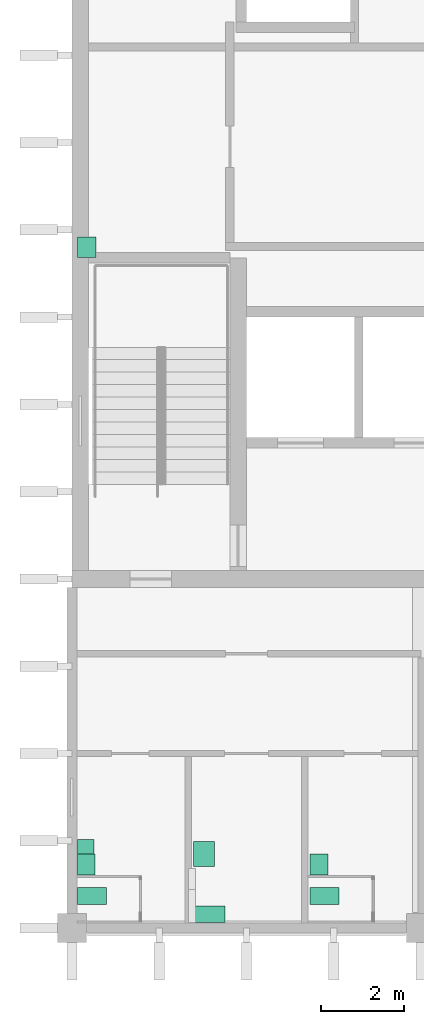
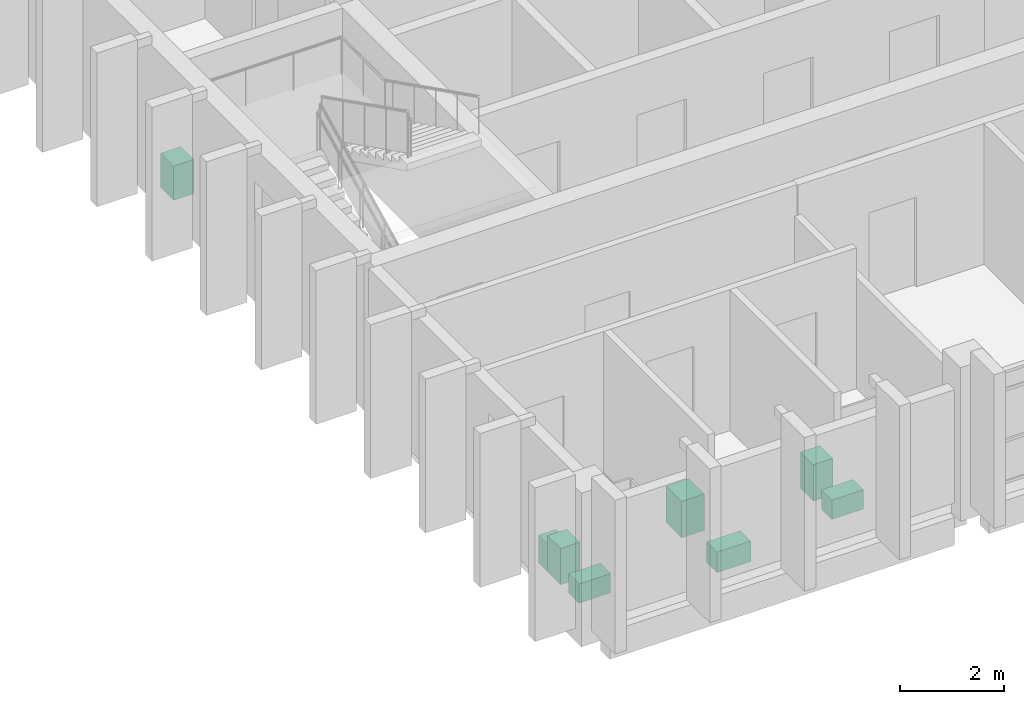
# One storey, part 11 of 11: 8 sanitary terminals.
"""IFC4 building model written with IfcOpenShell, lengths in metres."""

from ifc_helpers import new_model, si_unit, direction, frame, origin, origin_2d, place, context, subcontext, project, spatial, rectangle, extrude, material, type_object, element, save


model = new_model("IFC4")

# Units and contexts
model_context = context("Model", 3, precision=1e-05, world=origin(), true_north=direction((0.0, 1.0)))
body_context = subcontext(model_context, "Body", "Model", "MODEL_VIEW")
ifc_project = project(units=[si_unit("LENGTHUNIT", "METRE"), si_unit("AREAUNIT", "SQUARE_METRE"), si_unit("VOLUMEUNIT", "CUBIC_METRE"), si_unit("PLANEANGLEUNIT", "RADIAN"), si_unit("MASSUNIT", "GRAM", prefix="KILO")], contexts=[model_context])

# Site, building, storey
site_placement = place(None, origin())
site = spatial("IfcSite", under=ifc_project, at=site_placement, CompositionType="ELEMENT")
building_placement = place(site_placement, origin())
building = spatial("IfcBuilding", under=site, at=building_placement, Name="Rulbaag Community and Learning Centre", CompositionType="ELEMENT")
storey_placement = place(building_placement, frame((0.0, 0.0, 50.39990234375)))
storey = spatial("IfcBuildingStorey", under=building, at=storey_placement, Name="L13", CompositionType="ELEMENT", Elevation=50.39990234375)

# Sanitary terminals
ifc_material_1 = material(Name="Vitreous china", Category="ceramic")
sanitary_terminal_type_1 = type_object("IfcSanitaryTerminalType", Name="BS-500", PredefinedType="WASHHANDBASIN", material=ifc_material_1)
for number, where, z_axis, x_axis, name in (
    (1, (143.14501953125, 85.530029296875, 0.0), (0.0, 0.0, 1.0), (1.0, 0.0, 0.0), "Basin 102"),
    (2, (148.7451171875, 85.530029296875, 0.0), (0.0, 0.0, 1.0), (1.0, 0.0, 0.0), "Basin 103"),
):
    element("IfcSanitaryTerminal", number, at=place(storey_placement, frame(where, z_axis=z_axis, x_axis=x_axis)), inside=storey, type_object=sanitary_terminal_type_1, Name=name, PredefinedType="WASHHANDBASIN", context=body_context, shape_type="SweptSolid", body=[
        extrude(rectangle(XDim=0.429931640625, YDim=0.5, at=origin_2d()), origin(), (0.0, 0.0, 1.0), 0.85009765625),
    ])
sanitary_terminal_type_2 = type_object("IfcSanitaryTerminalType", Name="BS-AC-600", PredefinedType="WASHHANDBASIN", material=ifc_material_1)
sanitary_terminal_1_placement = place(storey_placement, frame((145.97998046875, 85.780029296875, 0.0), z_axis=(0.0, 0.0, 1.0), x_axis=(1.0, 0.0, 0.0)))
element("IfcSanitaryTerminal", 3, at=sanitary_terminal_1_placement, inside=storey, type_object=sanitary_terminal_type_2, Name="Basin 104", PredefinedType="WASHHANDBASIN", context=body_context, shape_type="SweptSolid", body=[
    extrude(rectangle(XDim=0.5, YDim=0.60009765625, at=origin_2d()), origin(), (0.0, 0.0, 1.0), 0.85009765625),
])
ifc_material_2 = material(Name="Stainless steel", Category="steel")
sanitary_terminal_type_3 = type_object("IfcSanitaryTerminalType", Name="SK-CL-500", PredefinedType="SINK", material=ifc_material_2)
sanitary_terminal_2_placement = place(storey_placement, frame((143.155029296875, 100.3798828125, 0.0), z_axis=(0.0, 0.0, 1.0), x_axis=(1.0, 0.0, 0.0)))
element("IfcSanitaryTerminal", 4, at=sanitary_terminal_2_placement, inside=storey, type_object=sanitary_terminal_type_3, Name="Sink 22", PredefinedType="SINK", context=body_context, shape_type="SweptSolid", body=[
    extrude(rectangle(XDim=0.449951171875, YDim=0.5, at=origin_2d()), origin(), (0.0, 0.0, 1.0), 0.800048828125),
])
sanitary_terminal_type_4 = type_object("IfcSanitaryTerminalType", Name="UR-350", PredefinedType="URINAL", material=ifc_material_1)
sanitary_terminal_3_placement = place(storey_placement, frame((143.1298828125, 85.955078125, 0.000244140625), z_axis=(0.0, 0.0, 1.0), x_axis=(1.0, 0.0, 0.0)))
element("IfcSanitaryTerminal", 5, at=sanitary_terminal_3_placement, inside=storey, type_object=sanitary_terminal_type_4, Name="Urinal 163", PredefinedType="URINAL", context=body_context, shape_type="SweptSolid", body=[
    extrude(rectangle(XDim=0.39990234375, YDim=0.35009765625, at=origin_2d()), origin(), (0.0, 0.0, 1.0), 0.64990234375),
])
sanitary_terminal_type_5 = type_object("IfcSanitaryTerminalType", Name="WC-400", PredefinedType="TOILETPAN", material=ifc_material_1)
for number, where, z_axis, x_axis, name in (
    (6, (143.280029296875, 84.77001953125, 0.0), (0.0, 0.0, 1.0), (1.0, 0.0, 0.0), "WC 163"),
    (7, (148.8798828125, 84.77001953125, 0.0), (0.0, 0.0, 1.0), (1.0, 0.0, 0.0), "WC 164"),
):
    element("IfcSanitaryTerminal", number, at=place(storey_placement, frame(where, z_axis=z_axis, x_axis=x_axis)), inside=storey, type_object=sanitary_terminal_type_5, Name=name, PredefinedType="TOILETPAN", context=body_context, shape_type="SweptSolid", body=[
        extrude(rectangle(XDim=0.699951171875, YDim=0.39990234375, at=origin_2d()), origin(), (0.0, 0.0, 1.0), 0.449951171875),
    ])
sanitary_terminal_type_6 = type_object("IfcSanitaryTerminalType", Name="WC-AC-480", PredefinedType="TOILETPAN", material=ifc_material_1)
sanitary_terminal_4_placement = place(storey_placement, frame((146.10498046875, 84.330078125, 0.0), z_axis=(0.0, 0.0, 1.0), x_axis=(1.0, 0.0, 0.0)))
element("IfcSanitaryTerminal", 8, at=sanitary_terminal_4_placement, inside=storey, type_object=sanitary_terminal_type_6, Name="WC 165", PredefinedType="TOILETPAN", context=body_context, shape_type="SweptSolid", body=[
    extrude(rectangle(XDim=0.75, YDim=0.39990234375, at=origin_2d()), origin(), (0.0, 0.0, 1.0), 0.47998046875),
])

save(model, "model.ifc")
